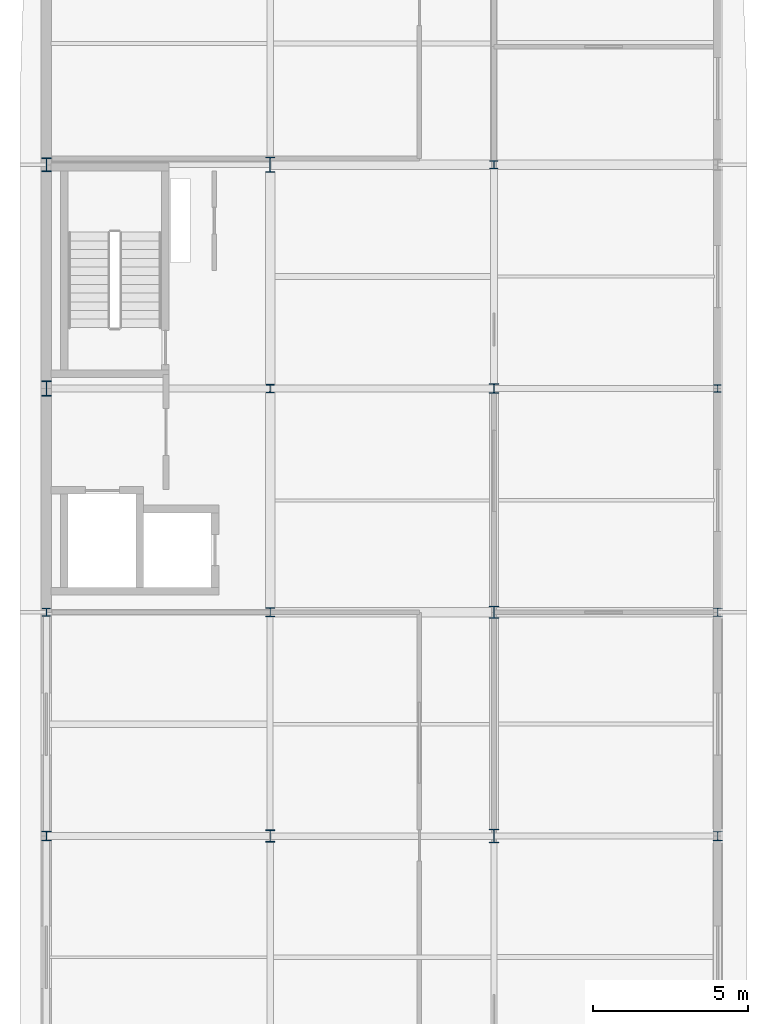
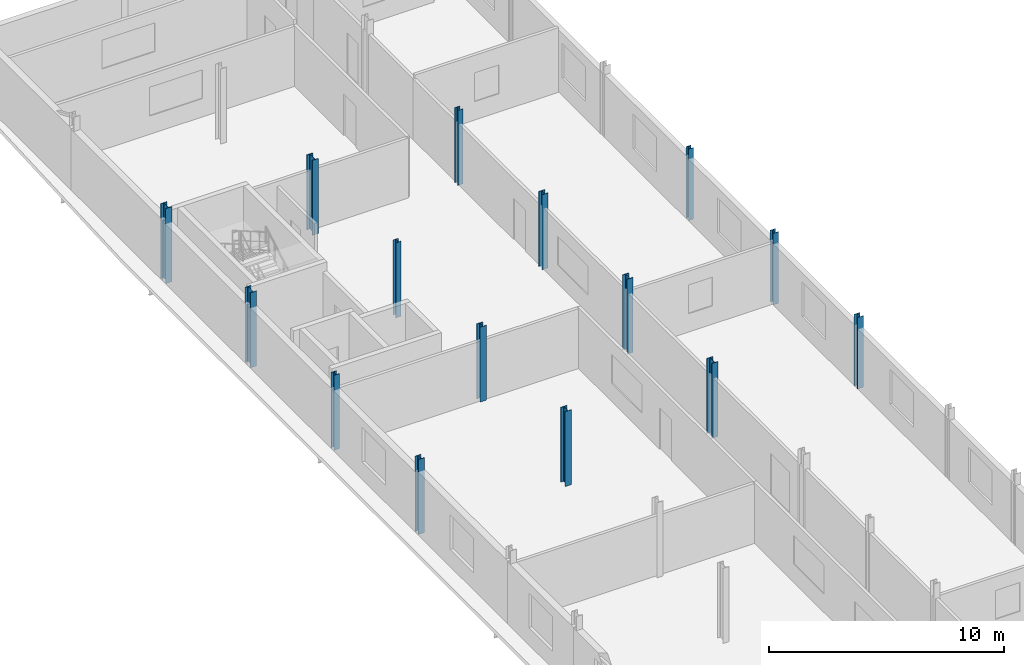
# One storey, part 3 of 16: 15 columns.
"""IFC4 building model written with IfcOpenShell, lengths in metres."""

import ifcopenshell
import ifcopenshell.guid

model = None  # the IFC model being written
_history = None  # IfcOwnerHistory: only IFC2X3 demands one
_inside = {}  # id of a spatial element -> (the spatial element, [elements in it])
_under = {}  # id of a project, library or spatial element -> (it, [spatial elements below it])
_declared = {}  # id of a project -> (the project, [libraries it declares])
_typed = {}  # id of a type object -> (the type object, [elements of that type])
_made_of = {}  # id of a material, layer set ... -> (it, [elements and type objects made of it])


def new_model(schema):
    """Start an empty IFC model of exactly this schema.

    Asked for "IFC4X3", IfcOpenShell would pick the latest addendum, in which some entities
    have other attributes; the version numbers below select the first issue.
    IFC2X3 requires an IfcOwnerHistory on every rooted entity: one is made here for all.
    """
    global model, _history
    if schema == "IFC4X3":
        model = ifcopenshell.file(schema_version=(4, 3, 0, 0))
    else:
        model = ifcopenshell.file(schema=schema)
    _inside.clear()
    _under.clear()
    _declared.clear()
    _typed.clear()
    _made_of.clear()
    _history = None
    if model.schema == "IFC2X3":
        org = make("IfcOrganization", Name="unknown")
        user = make(
            "IfcPersonAndOrganization",
            ThePerson=make("IfcPerson", FamilyName="unknown"),
            TheOrganization=org,
        )
        app = make(
            "IfcApplication",
            ApplicationDeveloper=org,
            Version="unknown",
            ApplicationFullName="unknown",
            ApplicationIdentifier="unknown",
        )
        _history = make(
            "IfcOwnerHistory",
            OwningUser=user,
            OwningApplication=app,
            ChangeAction="ADDED",
            CreationDate=0,
        )
    return model


def make(cls, **values):
    """One entity of the class cls with the attributes given. An attribute that is None is left unset."""
    return model.create_entity(
        cls, **{name: value for name, value in values.items() if value is not None}
    )


def rooted(cls, **values):
    """An entity with a GlobalId (a new one), such as an element, a storey or a relation."""
    return make(cls, GlobalId=ifcopenshell.guid.new(), OwnerHistory=_history, **values)


def si_unit(unit_type, name, prefix=None):
    """IfcSIUnit, for example si_unit("LENGTHUNIT", "METRE", prefix="MILLI")."""
    return make("IfcSIUnit", UnitType=unit_type, Prefix=prefix, Name=name)


def assignment(units):
    """IfcUnitAssignment: the units of a project."""
    return None if units is None else make("IfcUnitAssignment", Units=units)


def point(xyz):
    """IfcCartesianPoint."""
    return None if xyz is None else make("IfcCartesianPoint", Coordinates=xyz)


def direction(xyz):
    """IfcDirection."""
    return None if xyz is None else make("IfcDirection", DirectionRatios=xyz)


def frame(location, z_axis=None, x_axis=None):
    """IfcAxis2Placement3D, a coordinate frame: its origin and axes. An axis left out is left unset."""
    return make(
        "IfcAxis2Placement3D",
        Location=point(location),
        Axis=direction(z_axis),
        RefDirection=direction(x_axis),
    )


def frame_2d(location, x_axis=None):
    """IfcAxis2Placement2D, a coordinate frame in the plane: its origin and x axis."""
    return make(
        "IfcAxis2Placement2D", Location=point(location), RefDirection=direction(x_axis)
    )


def origin():
    """The frame at (0, 0, 0) with its axes left unset."""
    return frame((0.0, 0.0, 0.0))


def origin_2d():
    """The frame at (0, 0) in the plane with its x axis left unset."""
    return frame_2d((0.0, 0.0))


def place(relative_to, where):
    """IfcLocalPlacement: puts the frame where relative to a parent placement (None: the world)."""
    return make(
        "IfcLocalPlacement", PlacementRelTo=relative_to, RelativePlacement=where
    )


def context(
    kind, dimensions, precision=None, world=None, true_north=None, identifier=None
):
    """IfcGeometricRepresentationContext, for example the 3D "Model" context."""
    return make(
        "IfcGeometricRepresentationContext",
        ContextIdentifier=identifier,
        ContextType=kind,
        CoordinateSpaceDimension=dimensions,
        Precision=precision,
        WorldCoordinateSystem=world,
        TrueNorth=true_north,
    )


def subcontext(parent, identifier, kind, view, scale=None):
    """IfcGeometricRepresentationSubContext, for example "Body" below "Model"."""
    return make(
        "IfcGeometricRepresentationSubContext",
        ContextIdentifier=identifier,
        ContextType=kind,
        ParentContext=parent,
        TargetScale=scale,
        TargetView=view,
    )


def project(units=None, contexts=None):
    """IfcProject with its units and contexts."""
    return rooted(
        "IfcProject",
        Name="project",
        RepresentationContexts=contexts,
        UnitsInContext=assignment(units),
    )


def spatial(cls, under=None, at=None, **own):
    """A site, building, storey or space (cls), placed at a placement, below another one or the project."""
    s = rooted(cls, ObjectPlacement=at, **own)
    if under is not None:
        _under.setdefault(under.id(), (under, []))[1].append(s)
    return s


def profile(cls, at=None, kind="AREA", **sizes):
    """A parametric profile (cls). Its sizes go by their IFC names, for example OverallWidth=200.0."""
    return make(cls, ProfileType=kind, Position=at, **sizes)


def i_section(**sizes):
    """IfcIShapeProfileDef."""
    return profile("IfcIShapeProfileDef", **sizes)


def extrude(swept, where, along, depth):
    """IfcExtrudedAreaSolid: the profile swept, set in the frame where, extruded along a direction by depth."""
    return make(
        "IfcExtrudedAreaSolid",
        SweptArea=swept,
        Position=where,
        ExtrudedDirection=direction(along),
        Depth=depth,
    )


def shape(context_of_items, identifier, shape_type, items):
    """IfcShapeRepresentation: the items that make up one representation, for example the "Body"."""
    return make(
        "IfcShapeRepresentation",
        ContextOfItems=context_of_items,
        RepresentationIdentifier=identifier,
        RepresentationType=shape_type,
        Items=items,
    )


def material(Name=None, Category=None):
    """IfcMaterial."""
    return make("IfcMaterial", Name=Name, Category=Category)


def material_profile(
    of_material, cross_section, Name=None, Category=None, Priority=None
):
    """IfcMaterialProfile: a cross section and its material."""
    return make(
        "IfcMaterialProfile",
        Name=Name,
        Material=of_material,
        Profile=cross_section,
        Priority=Priority,
        Category=Category,
    )


def profile_set(profiles, Name=None, composite=None):
    """IfcMaterialProfileSet."""
    return make(
        "IfcMaterialProfileSet",
        Name=Name,
        MaterialProfiles=profiles,
        CompositeProfile=composite,
    )


def made_of(thing, what):
    """Note that an element or type object is made of a material, layer set ...; save() writes the relation."""
    if what is not None:
        _made_of.setdefault(what.id(), (what, []))[1].append(thing)
    return thing


def type_object(cls, material=None, **own):
    """A type object (cls), such as IfcWallType, which elements share."""
    return made_of(rooted(cls, **own), material)


def element(
    cls,
    number,
    at=None,
    inside=None,
    cuts=None,
    type_object=None,
    material=None,
    context=None,
    identifier="Body",
    shape_type=None,
    held_by="IfcProductDefinitionShape",
    body=None,
    shapes=None,
    **own,
):
    """One element of the class cls, such as IfcWall. Its Tag is "e" and its number.

    at: its placement. inside: the storey or other place that contains it. cuts: it is an
    opening in that element (IfcRelVoidsElement). A single representation is given by context,
    identifier, shape_type and body (its items); several are given by shapes. held_by: the class
    of the entity that holds the representations. save() writes the other relations.
    """
    e = rooted(cls, Tag="e%d" % number, ObjectPlacement=at, **own)
    if body is not None:
        shapes = [shape(context, identifier, shape_type, body)]
    if shapes is not None:
        e.Representation = make(held_by, Representations=shapes)
    if inside is not None:
        _inside.setdefault(inside.id(), (inside, []))[1].append(e)
    if cuts is not None:
        rooted(
            "IfcRelVoidsElement", RelatingBuildingElement=cuts, RelatedOpeningElement=e
        )
    if type_object is not None:
        _typed.setdefault(type_object.id(), (type_object, []))[1].append(e)
    return made_of(e, material)


def aggregate(whole, parts):
    """IfcRelAggregates: a whole, such as a stair, and the parts it consists of."""
    return rooted("IfcRelAggregates", RelatingObject=whole, RelatedObjects=parts)


def save(model, path):
    """Write the relations noted so far, then the file.

    IfcRelAggregates (storeys below a building ...), IfcRelContainedInSpatialStructure (elements
    in a storey), IfcRelDefinesByType, IfcRelAssociatesMaterial and IfcRelDeclares: one each for
    every whole, place, type object, material and project.
    """
    for whole, parts in _under.values():
        aggregate(whole, parts)
    for where, things in _inside.values():
        rooted(
            "IfcRelContainedInSpatialStructure",
            RelatedElements=things,
            RelatingStructure=where,
        )
    for kind, things in _typed.values():
        rooted("IfcRelDefinesByType", RelatedObjects=things, RelatingType=kind)
    for what, things in _made_of.values():
        rooted("IfcRelAssociatesMaterial", RelatedObjects=things, RelatingMaterial=what)
    for by, libraries in _declared.values():
        rooted("IfcRelDeclares", RelatingContext=by, RelatedDefinitions=libraries)
    model.write(path)


model = new_model("IFC4")

# Units and contexts
model_context = context("Model", 3, precision=1e-05, world=origin(), true_north=direction((0.0, 1.0)))
body_context = subcontext(model_context, "Body", "Model", "MODEL_VIEW")
ifc_project = project(units=[si_unit("LENGTHUNIT", "METRE"), si_unit("AREAUNIT", "SQUARE_METRE"), si_unit("VOLUMEUNIT", "CUBIC_METRE"), si_unit("PLANEANGLEUNIT", "RADIAN"), si_unit("MASSUNIT", "GRAM", prefix="KILO")], contexts=[model_context])

# Site, building, storey
site_placement = place(None, origin())
site = spatial("IfcSite", under=ifc_project, at=site_placement, CompositionType="ELEMENT")
building_placement = place(site_placement, origin())
building = spatial("IfcBuilding", under=site, at=building_placement, Name="Vinh Khe Railworks Police Headquarters", CompositionType="ELEMENT")
storey_placement = place(building_placement, frame((0.0, 0.0, 28.800048828125)))
storey = spatial("IfcBuildingStorey", under=building, at=storey_placement, Name="L07", CompositionType="ELEMENT", Elevation=28.800048828125)

# Columns
ifc_material = material(Name="Steel S355JR", Category="steel")
ifc_material_profile_1 = material_profile(ifc_material, i_section(OverallWidth=0.239990234375, OverallDepth=0.22998046875, WebThickness=0.007568359375, FlangeThickness=0.011962890625, FilletRadius=0.02099609375, at=origin_2d()), Name="HEA 240")
ifc_profile_set_1 = profile_set([ifc_material_profile_1], Name="Steel S355JR")
column_type_1 = type_object("IfcColumnType", Name="Steel Column HEA 240", PredefinedType="COLUMN", material=ifc_profile_set_1)
column_1_placement = place(storey_placement, frame((22.199951171875, 81.0, 0.0), z_axis=(0.0, 0.0, 1.0), x_axis=(1.0, 0.0, 0.0)))
element("IfcColumn", 1, at=column_1_placement, inside=storey, type_object=column_type_1, Name="Column COL-L07-SC-20-0606", PredefinedType="COLUMN", context=body_context, shape_type="SweptSolid", body=[
    extrude(i_section(OverallWidth=0.239990234375, OverallDepth=0.22998046875, WebThickness=0.007568359375, FlangeThickness=0.011962890625, FilletRadius=0.02099609375, at=origin_2d()), origin(), (0.0, 0.0, 1.0), 3.719970703125),
])
ifc_material_profile_2 = material_profile(ifc_material, i_section(OverallWidth=0.280029296875, OverallDepth=0.27001953125, WebThickness=0.008056640625, FlangeThickness=0.012939453125, FilletRadius=0.02392578125, at=origin_2d()), Name="HEA 280")
ifc_profile_set_2 = profile_set([ifc_material_profile_2], Name="Steel S355JR")
column_type_2 = type_object("IfcColumnType", Name="Steel Column HEA 280", PredefinedType="COLUMN", material=ifc_profile_set_2)
column_2_placement = place(storey_placement, frame((22.199951171875, 73.800048828125, 0.0), z_axis=(0.0, 0.0, 1.0), x_axis=(1.0, 0.0, 0.0)))
element("IfcColumn", 2, at=column_2_placement, inside=storey, type_object=column_type_2, Name="Column COL-L07-SC-19-0597", PredefinedType="COLUMN", context=body_context, shape_type="SweptSolid", body=[
    extrude(i_section(OverallWidth=0.280029296875, OverallDepth=0.27001953125, WebThickness=0.008056640625, FlangeThickness=0.012939453125, FilletRadius=0.02392578125, at=origin_2d()), origin(), (0.0, 0.0, 1.0), 3.719970703125),
])
ifc_material_profile_3 = material_profile(ifc_material, i_section(OverallWidth=0.300048828125, OverallDepth=0.2900390625, WebThickness=0.008544921875, FlangeThickness=0.013916015625, FilletRadius=0.027099609375, at=origin_2d()), Name="HEA 300")
ifc_profile_set_3 = profile_set([ifc_material_profile_3], Name="Steel S355JR")
column_type_3 = type_object("IfcColumnType", Name="Steel Column HEA 300", PredefinedType="COLUMN", material=ifc_profile_set_3)
column_3_placement = place(storey_placement, frame((22.199951171875, 66.60009765625, 0.0), z_axis=(0.0, 0.0, 1.0), x_axis=(1.0, 0.0, 0.0)))
element("IfcColumn", 3, at=column_3_placement, inside=storey, type_object=column_type_3, Name="Column COL-L07-SC-18-0588", PredefinedType="COLUMN", context=body_context, shape_type="SweptSolid", body=[
    extrude(i_section(OverallWidth=0.300048828125, OverallDepth=0.2900390625, WebThickness=0.008544921875, FlangeThickness=0.013916015625, FilletRadius=0.027099609375, at=origin_2d()), origin(), (0.0, 0.0, 1.0), 3.719970703125),
])
ifc_material_profile_4 = material_profile(ifc_material, i_section(OverallWidth=0.300048828125, OverallDepth=0.389892578125, WebThickness=0.010986328125, FlangeThickness=0.01904296875, FilletRadius=0.027099609375, at=origin_2d()), Name="HEA 400")
ifc_profile_set_4 = profile_set([ifc_material_profile_4], Name="Steel S355JR")
column_type_4 = type_object("IfcColumnType", Name="Steel Column HEA 400", PredefinedType="COLUMN", material=ifc_profile_set_4)
for number, where, z_axis, x_axis, name in (
    (4, (7.800048828125, 66.60009765625, 0.0), (0.0, 0.0, 1.0), (1.0, 0.0, 0.0), "Column COL-L07-SC-15-0262"),
    (5, (15.0, 73.800048828125, 0.0), (0.0, 0.0, 1.0), (1.0, 0.0, 0.0), "Column COL-L07-SC-15-0439"),
):
    element("IfcColumn", number, at=place(storey_placement, frame(where, z_axis=z_axis, x_axis=x_axis)), inside=storey, type_object=column_type_4, Name=name, PredefinedType="COLUMN", context=body_context, shape_type="SweptSolid", body=[
        extrude(i_section(OverallWidth=0.300048828125, OverallDepth=0.389892578125, WebThickness=0.010986328125, FlangeThickness=0.01904296875, FilletRadius=0.027099609375, at=origin_2d()), origin(), (0.0, 0.0, 1.0), 3.89990234375),
    ])
ifc_material_profile_5 = material_profile(ifc_material, i_section(OverallWidth=0.300048828125, OverallDepth=0.43994140625, WebThickness=0.011474609375, FlangeThickness=0.02099609375, FilletRadius=0.027099609375, at=origin_2d()), Name="HEA 450")
ifc_profile_set_5 = profile_set([ifc_material_profile_5], Name="Steel S355JR")
column_type_5 = type_object("IfcColumnType", Name="Steel Column HEA 450", PredefinedType="COLUMN", material=ifc_profile_set_5)
for number, where, z_axis, x_axis, name in (
    (6, (0.60009765625, 88.199951171875, 0.0), (0.0, 0.0, 1.0), (1.0, 0.0, 0.0), "Column COL-L07-SC-14-0125"),
    (7, (15.0, 66.60009765625, 0.0), (0.0, 0.0, 1.0), (1.0, 0.0, 0.0), "Column COL-L07-SC-14-0429"),
):
    element("IfcColumn", number, at=place(storey_placement, frame(where, z_axis=z_axis, x_axis=x_axis)), inside=storey, type_object=column_type_5, Name=name, PredefinedType="COLUMN", context=body_context, shape_type="SweptSolid", body=[
        extrude(i_section(OverallWidth=0.300048828125, OverallDepth=0.43994140625, WebThickness=0.011474609375, FlangeThickness=0.02099609375, FilletRadius=0.027099609375, at=origin_2d()), origin(), (0.0, 0.0, 1.0), 3.89990234375),
    ])
ifc_material_profile_6 = material_profile(ifc_material, i_section(OverallWidth=0.300048828125, OverallDepth=0.489990234375, WebThickness=0.011962890625, FlangeThickness=0.02294921875, FilletRadius=0.027099609375, at=origin_2d()), Name="HEA 500")
ifc_profile_set_6 = profile_set([ifc_material_profile_6], Name="Steel S355JR")
column_type_6 = type_object("IfcColumnType", Name="Steel Column HEA 500", PredefinedType="COLUMN", material=ifc_profile_set_6)
for number, where, z_axis, x_axis, name in (
    (8, (0.60009765625, 81.0, 0.0), (0.0, 0.0, 1.0), (1.0, 0.0, 0.0), "Column COL-L07-SC-13-0115"),
    (9, (7.800048828125, 88.199951171875, 0.0), (0.0, 0.0, 1.0), (1.0, 0.0, 0.0), "Column COL-L07-SC-13-0292"),
):
    element("IfcColumn", number, at=place(storey_placement, frame(where, z_axis=z_axis, x_axis=x_axis)), inside=storey, type_object=column_type_6, Name=name, PredefinedType="COLUMN", context=body_context, shape_type="SweptSolid", body=[
        extrude(i_section(OverallWidth=0.300048828125, OverallDepth=0.489990234375, WebThickness=0.011962890625, FlangeThickness=0.02294921875, FilletRadius=0.027099609375, at=origin_2d()), origin(), (0.0, 0.0, 1.0), 3.89990234375),
    ])
ifc_material_profile_7 = material_profile(ifc_material, i_section(OverallWidth=0.260009765625, OverallDepth=0.260009765625, WebThickness=0.010009765625, FlangeThickness=0.017578125, FilletRadius=0.02392578125, at=origin_2d()), Name="HEB 260")
ifc_profile_set_7 = profile_set([ifc_material_profile_7], Name="Steel S355JR")
column_type_7 = type_object("IfcColumnType", Name="Steel Column HEB 260", PredefinedType="COLUMN", material=ifc_profile_set_7)
for number, where, z_axis, x_axis, name in (
    (10, (0.60009765625, 73.800048828125, 0.0), (0.0, 0.0, 1.0), (1.0, 0.0, 0.0), "Column COL-L07-SC-12-0105"),
    (11, (7.800048828125, 81.0, 0.0), (0.0, 0.0, 1.0), (1.0, 0.0, 0.0), "Column COL-L07-SC-12-0282"),
    (12, (15.0, 88.199951171875, 0.0), (0.0, 0.0, 1.0), (1.0, 0.0, 0.0), "Column COL-L07-SC-12-0459"),
):
    element("IfcColumn", number, at=place(storey_placement, frame(where, z_axis=z_axis, x_axis=x_axis)), inside=storey, type_object=column_type_7, Name=name, PredefinedType="COLUMN", context=body_context, shape_type="SweptSolid", body=[
        extrude(i_section(OverallWidth=0.260009765625, OverallDepth=0.260009765625, WebThickness=0.010009765625, FlangeThickness=0.017578125, FilletRadius=0.02392578125, at=origin_2d()), origin(), (0.0, 0.0, 1.0), 3.89990234375),
    ])
ifc_material_profile_8 = material_profile(ifc_material, i_section(OverallWidth=0.300048828125, OverallDepth=0.300048828125, WebThickness=0.010986328125, FlangeThickness=0.01904296875, FilletRadius=0.027099609375, at=origin_2d()), Name="HEB 300")
ifc_profile_set_8 = profile_set([ifc_material_profile_8], Name="Steel S355JR")
column_type_8 = type_object("IfcColumnType", Name="Steel Column HEB 300", PredefinedType="COLUMN", material=ifc_profile_set_8)
for number, where, z_axis, x_axis, name in (
    (13, (0.60009765625, 66.60009765625, 0.0), (0.0, 0.0, 1.0), (1.0, 0.0, 0.0), "Column COL-L07-SC-11-0095"),
    (14, (7.800048828125, 73.800048828125, 0.0), (0.0, 0.0, 1.0), (1.0, 0.0, 0.0), "Column COL-L07-SC-11-0272"),
    (15, (15.0, 81.0, 0.0), (0.0, 0.0, 1.0), (1.0, 0.0, 0.0), "Column COL-L07-SC-11-0449"),
):
    element("IfcColumn", number, at=place(storey_placement, frame(where, z_axis=z_axis, x_axis=x_axis)), inside=storey, type_object=column_type_8, Name=name, PredefinedType="COLUMN", context=body_context, shape_type="SweptSolid", body=[
        extrude(i_section(OverallWidth=0.300048828125, OverallDepth=0.300048828125, WebThickness=0.010986328125, FlangeThickness=0.01904296875, FilletRadius=0.027099609375, at=origin_2d()), origin(), (0.0, 0.0, 1.0), 3.89990234375),
    ])

save(model, "model.ifc")
